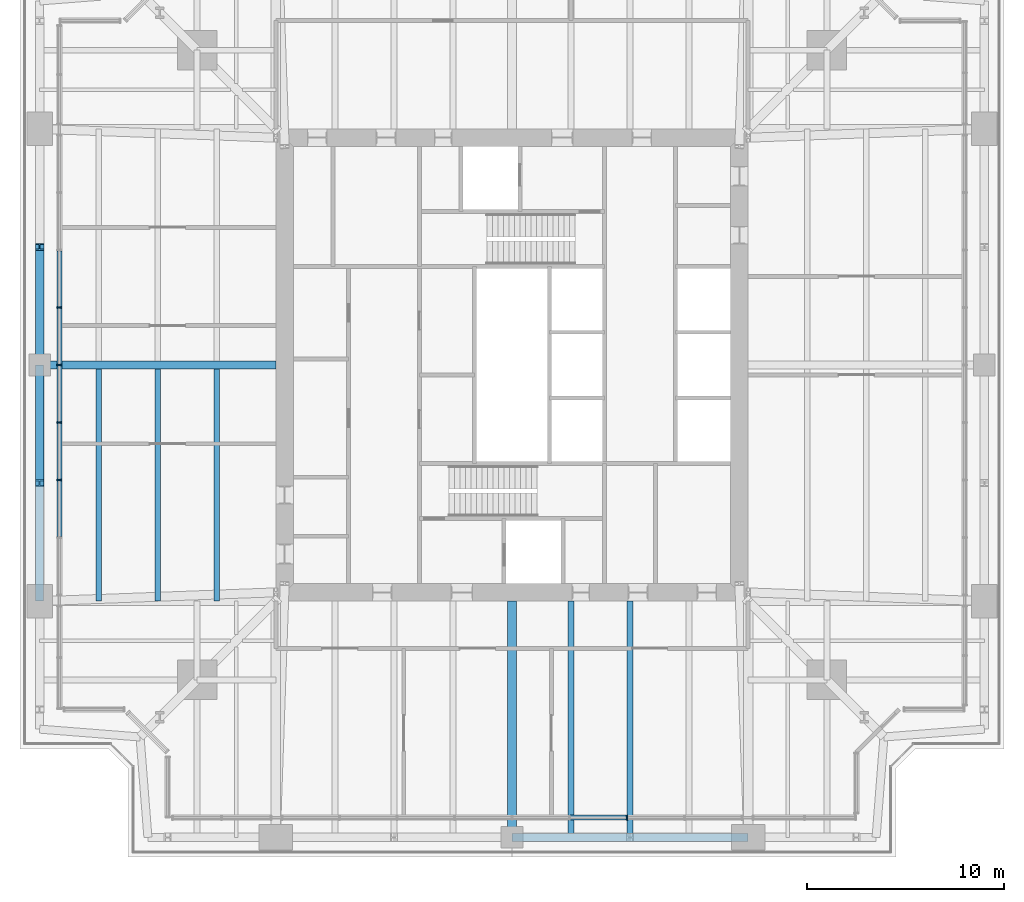
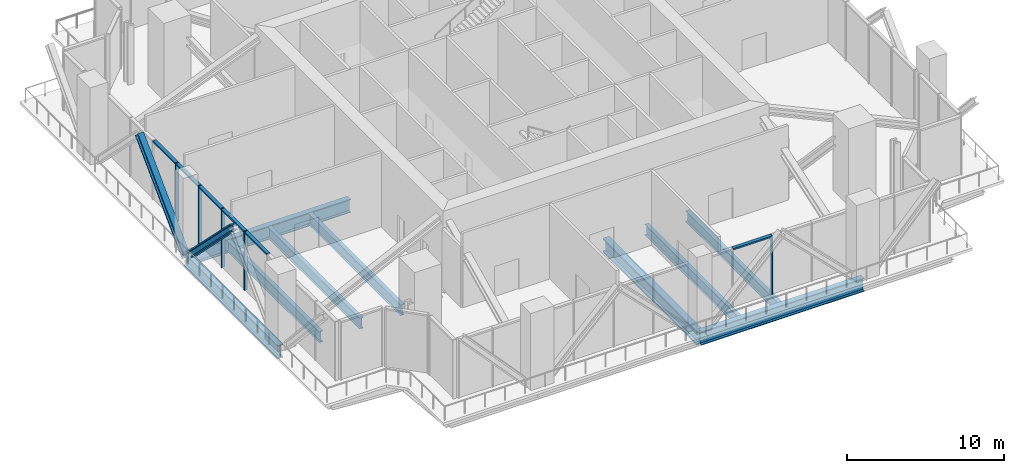
# One storey, part 3 of 14: 13 members, 9 beams, 2 elements without a shape of their own.
"""IFC4 building model written with IfcOpenShell, lengths in metres."""

from ifc_helpers import new_model, si_unit, direction, frame, origin, origin_2d, place, context, subcontext, project, spatial, rectangle, i_section, extrude, material, material_profile, profile_set, type_object, element, aggregate, save


model = new_model("IFC4")

# Units and contexts
model_context = context("Model", 3, precision=1e-05, world=origin(), true_north=direction((0.0, 1.0)))
body_context = subcontext(model_context, "Body", "Model", "MODEL_VIEW")
ifc_project = project(units=[si_unit("LENGTHUNIT", "METRE"), si_unit("AREAUNIT", "SQUARE_METRE"), si_unit("VOLUMEUNIT", "CUBIC_METRE"), si_unit("PLANEANGLEUNIT", "RADIAN"), si_unit("MASSUNIT", "GRAM", prefix="KILO")], contexts=[model_context])

# Site, building, storey
site_placement = place(None, origin())
site = spatial("IfcSite", under=ifc_project, at=site_placement, CompositionType="ELEMENT")
building_placement = place(site_placement, origin())
building = spatial("IfcBuilding", under=site, at=building_placement, Name="Fenwick Lantern Interchange", CompositionType="ELEMENT")
storey_placement = place(building_placement, frame((0.0, 0.0, 233.800048828125)))
storey = spatial("IfcBuildingStorey", under=building, at=storey_placement, Name="L55", CompositionType="ELEMENT", Elevation=233.800048828125)

# Members
ifc_material_1 = material(Name="Steel ASTM A992 Grade 50", Category="steel")
ifc_material_profile_1 = material_profile(ifc_material_1, i_section(OverallWidth=0.431884765625, OverallDepth=0.497802734375, WebThickness=0.0556640625, FlangeThickness=0.0888671875, at=origin_2d()), Name="W14X500")
ifc_profile_set_1 = profile_set([ifc_material_profile_1], Name="Steel ASTM A992 Grade 50")
member_type_1 = type_object("IfcMemberType", Name="BELT TRUSS DIAGONAL W14X500", PredefinedType="BRACE", material=ifc_profile_set_1)
for number, where, z_axis, x_axis, name in (
    (1, (1.0, 25.0, -0.650146484375), (0.0, 0.707106781187, 0.707106781187), (-1.0, 0.0, 0.0), "L55/BT/W/D3"),
    (2, (1.0, 25.0, -0.650146484375), (0.0, -0.707106781187, 0.707106781187), (1.0, 0.0, 0.0), "L55/BT/W/D4"),
):
    element("IfcMember", number, at=place(storey_placement, frame(where, z_axis=z_axis, x_axis=x_axis)), inside=storey, type_object=member_type_1, Name=name, PredefinedType="BRACE", context=body_context, shape_type="SweptSolid", body=[
        extrude(i_section(OverallWidth=0.431884765625, OverallDepth=0.497802734375, WebThickness=0.0556640625, FlangeThickness=0.0888671875, at=origin_2d()), origin(), (0.0, 0.0, 1.0), 8.4853515625),
    ])

# Beams
ifc_material_profile_2 = material_profile(ifc_material_1, i_section(OverallWidth=0.408935546875, OverallDepth=1.04150390625, WebThickness=0.031005859375, FlangeThickness=0.055908203125, at=origin_2d()), Name="W40X397")
ifc_profile_set_2 = profile_set([ifc_material_profile_2], Name="Steel ASTM A992 Grade 50")
beam_type_1 = type_object("IfcBeamType", Name="EDGE BEAM W40X397", PredefinedType="SPANDREL", material=ifc_profile_set_2)
for number, where, z_axis, x_axis, name in (
    (3, (25.0, 1.0, -0.720703125), (1.0, 0.0, 0.0), (0.0, 1.0, 0.0), "L55/FR/S/EB3"),
    (4, (1.0, 25.0, -0.720703125), (0.0, -1.0, 0.0), (1.0, 0.0, 0.0), "L55/FR/W/EB3"),
):
    element("IfcBeam", number, at=place(storey_placement, frame(where, z_axis=z_axis, x_axis=x_axis)), inside=storey, type_object=beam_type_1, Name=name, PredefinedType="SPANDREL", context=body_context, shape_type="SweptSolid", body=[
        extrude(i_section(OverallWidth=0.408935546875, OverallDepth=1.04150390625, WebThickness=0.031005859375, FlangeThickness=0.055908203125, at=origin_2d()), origin(), (0.0, 0.0, 1.0), 12.0),
    ])
ifc_material_profile_3 = material_profile(ifc_material_1, i_section(OverallWidth=0.2919921875, OverallDepth=0.845703125, WebThickness=0.015380859375, FlangeThickness=0.0244140625, at=origin_2d()), Name="W33X141")
ifc_profile_set_3 = profile_set([ifc_material_profile_3], Name="Steel ASTM A992 Grade 50")
beam_type_2 = type_object("IfcBeamType", Name="FLOOR BEAM W33X141", PredefinedType="BEAM", material=ifc_profile_set_3)
for number, where, z_axis, x_axis, name in (
    (5, (28.0, 1.0, -0.623046875), (0.0, 1.0, 0.0), (-1.0, 0.0, 0.0), "L55/FR/S/R06"),
    (6, (31.0, 1.0, -0.623046875), (0.0, 1.0, 0.0), (-1.0, 0.0, 0.0), "L55/FR/S/R07"),
):
    element("IfcBeam", number, at=place(storey_placement, frame(where, z_axis=z_axis, x_axis=x_axis)), inside=storey, type_object=beam_type_2, Name=name, PredefinedType="BEAM", context=body_context, shape_type="SweptSolid", body=[
        extrude(i_section(OverallWidth=0.2919921875, OverallDepth=0.845703125, WebThickness=0.015380859375, FlangeThickness=0.0244140625, at=origin_2d()), origin(), (0.0, 0.0, 1.0), 12.0),
    ])
for number, where, z_axis, x_axis, name in (
    (7, (4.0, 24.79541015625, -0.623046875), (0.0, -1.0, 0.0), (1.0, 0.0, 0.0), "L55/FR/W/B04"),
    (8, (7.0, 24.79541015625, -0.623046875), (0.0, -1.0, 0.0), (1.0, 0.0, 0.0), "L55/FR/W/B05"),
    (9, (10.0, 24.79541015625, -0.623046875), (0.0, -1.0, 0.0), (1.0, 0.0, 0.0), "L55/FR/W/B06"),
):
    element("IfcBeam", number, at=place(storey_placement, frame(where, z_axis=z_axis, x_axis=x_axis)), inside=storey, type_object=beam_type_2, Name=name, PredefinedType="BEAM", context=body_context, shape_type="SweptSolid", body=[
        extrude(i_section(OverallWidth=0.2919921875, OverallDepth=0.845703125, WebThickness=0.015380859375, FlangeThickness=0.0244140625, at=origin_2d()), origin(), (0.0, 0.0, 1.0), 11.79541015625),
    ])
ifc_material_profile_4 = material_profile(ifc_material_1, i_section(OverallWidth=0.472412109375, OverallDepth=1.0947265625, WebThickness=0.07666015625, FlangeThickness=0.114990234375, at=origin_2d()), Name="W36X925")
ifc_profile_set_4 = profile_set([ifc_material_profile_4], Name="Steel ASTM A992 Grade 50")
beam_type_3 = type_object("IfcBeamType", Name="MOMENT-CONNECTED GIRDER W36X925", PredefinedType="BEAM", material=ifc_profile_set_4)
beam_1_placement = place(storey_placement, frame((25.0, 1.0, -0.747314453125), z_axis=(0.0, 1.0, 0.0), x_axis=(-1.0, 0.0, 0.0)))
element("IfcBeam", 10, at=beam_1_placement, inside=storey, type_object=beam_type_3, Name="L55/FR/S/R05", PredefinedType="BEAM", context=body_context, shape_type="SweptSolid", body=[
    extrude(i_section(OverallWidth=0.472412109375, OverallDepth=1.0947265625, WebThickness=0.07666015625, FlangeThickness=0.114990234375, at=origin_2d()), origin(), (0.0, 0.0, 1.0), 12.0),
])
ifc_material_profile_5 = material_profile(ifc_material_1, i_section(OverallWidth=0.408935546875, OverallDepth=1.04150390625, WebThickness=0.031005859375, FlangeThickness=0.055908203125, at=origin_2d()), Name="W40X397")
ifc_profile_set_5 = profile_set([ifc_material_profile_5], Name="Steel ASTM A992 Grade 50")
beam_type_4 = type_object("IfcBeamType", Name="MOMENT-CONNECTED GIRDER W40X397", PredefinedType="BEAM", material=ifc_profile_set_5)
beam_2_placement = place(storey_placement, frame((1.0, 25.0, -0.720703125), z_axis=(1.0, 0.0, 0.0), x_axis=(0.0, 1.0, 0.0)))
element("IfcBeam", 11, at=beam_2_placement, inside=storey, type_object=beam_type_4, Name="L55/FR/W/R02", PredefinedType="BEAM", context=body_context, shape_type="SweptSolid", body=[
    extrude(i_section(OverallWidth=0.408935546875, OverallDepth=1.04150390625, WebThickness=0.031005859375, FlangeThickness=0.055908203125, at=origin_2d()), origin(), (0.0, 0.0, 1.0), 12.0),
])

# Curtain wall, members
ifc_material_2 = material(Name="Aluminium curtain wall frame", Category="aluminium")
curtain_wall_type = type_object("IfcCurtainWallType", Name="PLANT LOUVRE SCREEN", PredefinedType="USERDEFINED", material=ifc_material_2)
curtain_wall_1_placement = place(storey_placement, origin())
curtain_wall_1 = element("IfcCurtainWall", 12, at=curtain_wall_1_placement, inside=storey, type_object=curtain_wall_type, Name="Plant louvre screen 12B", ObjectType="PLANT LOUVRE SCREEN", PredefinedType="USERDEFINED")
ifc_material_3 = material(Name="Aluminium extrusion", Category="aluminium")
ifc_material_profile_6 = material_profile(ifc_material_3, rectangle(XDim=0.25, YDim=0.074951171875, at=origin_2d()), Name="PLANT LOUVRE SCREEN MULLION 75 X 250")
ifc_profile_set_6 = profile_set([ifc_material_profile_6], Name="Aluminium extrusion")
member_type_2 = type_object("IfcMemberType", Name="PLANT LOUVRE SCREEN MULLION 75 X 250", PredefinedType="MULLION", material=ifc_profile_set_6)
member_1_placement = place(storey_placement, frame((2.0, 27.920654296875, 0.0), z_axis=(0.0, 0.0, 1.0), x_axis=(1.0, 0.0, 0.0)))
member_1 = element("IfcMember", 13, at=member_1_placement, type_object=member_type_2, Name="L55/CW/12B/M03", PredefinedType="MULLION", context=body_context, shape_type="SweptSolid", body=[
    extrude(rectangle(XDim=0.25, YDim=0.074951171875, at=origin_2d()), origin(), (0.0, 0.0, 1.0), 4.599853515625),
])
member_2_placement = place(storey_placement, frame((2.0, 25.0, 0.0), z_axis=(0.0, 0.0, 1.0), x_axis=(1.0, 0.0, 0.0)))
member_2 = element("IfcMember", 14, at=member_2_placement, type_object=member_type_2, Name="L55/CW/12B/M04", PredefinedType="MULLION", context=body_context, shape_type="SweptSolid", body=[
    extrude(rectangle(XDim=0.25, YDim=0.074951171875, at=origin_2d()), origin(), (0.0, 0.0, 1.0), 4.599853515625),
])
member_3_placement = place(storey_placement, frame((2.0, 22.079345703125, 0.0), z_axis=(0.0, 0.0, 1.0), x_axis=(1.0, 0.0, 0.0)))
member_3 = element("IfcMember", 15, at=member_3_placement, type_object=member_type_2, Name="L55/CW/12B/M05", PredefinedType="MULLION", context=body_context, shape_type="SweptSolid", body=[
    extrude(rectangle(XDim=0.25, YDim=0.074951171875, at=origin_2d()), origin(), (0.0, 0.0, 1.0), 4.599853515625),
])
member_4_placement = place(storey_placement, frame((2.0, 19.15869140625, 0.0), z_axis=(0.0, 0.0, 1.0), x_axis=(1.0, 0.0, 0.0)))
member_4 = element("IfcMember", 16, at=member_4_placement, type_object=member_type_2, Name="L55/CW/12B/M06", PredefinedType="MULLION", context=body_context, shape_type="SweptSolid", body=[
    extrude(rectangle(XDim=0.25, YDim=0.074951171875, at=origin_2d()), origin(), (0.0, 0.0, 1.0), 4.599853515625),
])

# Curtain wall, member
curtain_wall_2_placement = place(storey_placement, origin())
curtain_wall_2 = element("IfcCurtainWall", 17, at=curtain_wall_2_placement, inside=storey, type_object=curtain_wall_type, Name="Plant louvre screen 16B", ObjectType="PLANT LOUVRE SCREEN", PredefinedType="USERDEFINED")
member_5_placement = place(storey_placement, frame((30.8427734375, 2.0, 0.0), z_axis=(0.0, 0.0, 1.0), x_axis=(0.0, 1.0, 0.0)))
member_5 = element("IfcMember", 18, at=member_5_placement, type_object=member_type_2, Name="L55/CW/16B/M06", PredefinedType="MULLION", context=body_context, shape_type="SweptSolid", body=[
    extrude(rectangle(XDim=0.25, YDim=0.074951171875, at=origin_2d()), origin(), (0.0, 0.0, 1.0), 4.599853515625),
])

# Member
ifc_material_profile_7 = material_profile(ifc_material_3, rectangle(XDim=0.25, YDim=0.1201171875, at=origin_2d()), Name="PLANT LOUVRE SCREEN TRANSOM 120 X 250")
ifc_profile_set_7 = profile_set([ifc_material_profile_7], Name="Aluminium extrusion")
member_type_3 = type_object("IfcMemberType", Name="PLANT LOUVRE SCREEN TRANSOM 120 X 250", PredefinedType="MULLION", material=ifc_profile_set_7)
member_6_placement = place(storey_placement, frame((2.0, 30.803955078125, 4.5400390625), z_axis=(0.0, -1.0, 0.0), x_axis=(1.0, 0.0, 0.0)))
member_6 = element("IfcMember", 19, at=member_6_placement, type_object=member_type_3, Name="L55/CW/12B/T02", PredefinedType="MULLION", context=body_context, shape_type="SweptSolid", body=[
    extrude(rectangle(XDim=0.25, YDim=0.1201171875, at=origin_2d()), origin(), (0.0, 0.0, 1.0), 2.845703125),
])

member_7_placement = place(storey_placement, frame((2.0, 27.88330078125, 4.5400390625), z_axis=(0.0, -1.0, 0.0), x_axis=(1.0, 0.0, 0.0)))
member_7 = element("IfcMember", 20, at=member_7_placement, type_object=member_type_3, Name="L55/CW/12B/T03", PredefinedType="MULLION", context=body_context, shape_type="SweptSolid", body=[
    extrude(rectangle(XDim=0.25, YDim=0.1201171875, at=origin_2d()), origin(), (0.0, 0.0, 1.0), 2.845703125),
])

member_8_placement = place(storey_placement, frame((2.0, 24.96240234375, 4.5400390625), z_axis=(0.0, -1.0, 0.0), x_axis=(1.0, 0.0, 0.0)))
member_8 = element("IfcMember", 21, at=member_8_placement, type_object=member_type_3, Name="L55/CW/12B/T04", PredefinedType="MULLION", context=body_context, shape_type="SweptSolid", body=[
    extrude(rectangle(XDim=0.25, YDim=0.1201171875, at=origin_2d()), origin(), (0.0, 0.0, 1.0), 2.845703125),
])

member_9_placement = place(storey_placement, frame((2.0, 22.041748046875, 4.5400390625), z_axis=(0.0, -1.0, 0.0), x_axis=(1.0, 0.0, 0.0)))
member_9 = element("IfcMember", 22, at=member_9_placement, type_object=member_type_3, Name="L55/CW/12B/T05", PredefinedType="MULLION", context=body_context, shape_type="SweptSolid", body=[
    extrude(rectangle(XDim=0.25, YDim=0.1201171875, at=origin_2d()), origin(), (0.0, 0.0, 1.0), 2.845703125),
])

member_10_placement = place(storey_placement, frame((2.0, 19.12109375, 4.5400390625), z_axis=(0.0, -1.0, 0.0), x_axis=(1.0, 0.0, 0.0)))
member_10 = element("IfcMember", 23, at=member_10_placement, type_object=member_type_3, Name="L55/CW/12B/T06", PredefinedType="MULLION", context=body_context, shape_type="SweptSolid", body=[
    extrude(rectangle(XDim=0.25, YDim=0.1201171875, at=origin_2d()), origin(), (0.0, 0.0, 1.0), 2.845703125),
])

aggregate(curtain_wall_1, [member_1, member_2, member_3, member_4, member_6, member_7, member_8, member_9, member_10])

member_11_placement = place(storey_placement, frame((27.958984375, 2.0, 4.5400390625), z_axis=(1.0, 0.0, 0.0), x_axis=(0.0, 1.0, 0.0)))
member_11 = element("IfcMember", 24, at=member_11_placement, type_object=member_type_3, Name="L55/CW/16B/T05", PredefinedType="MULLION", context=body_context, shape_type="SweptSolid", body=[
    extrude(rectangle(XDim=0.25, YDim=0.1201171875, at=origin_2d()), origin(), (0.0, 0.0, 1.0), 2.846435546875),
])

aggregate(curtain_wall_2, [member_5, member_11])

save(model, "model.ifc")
